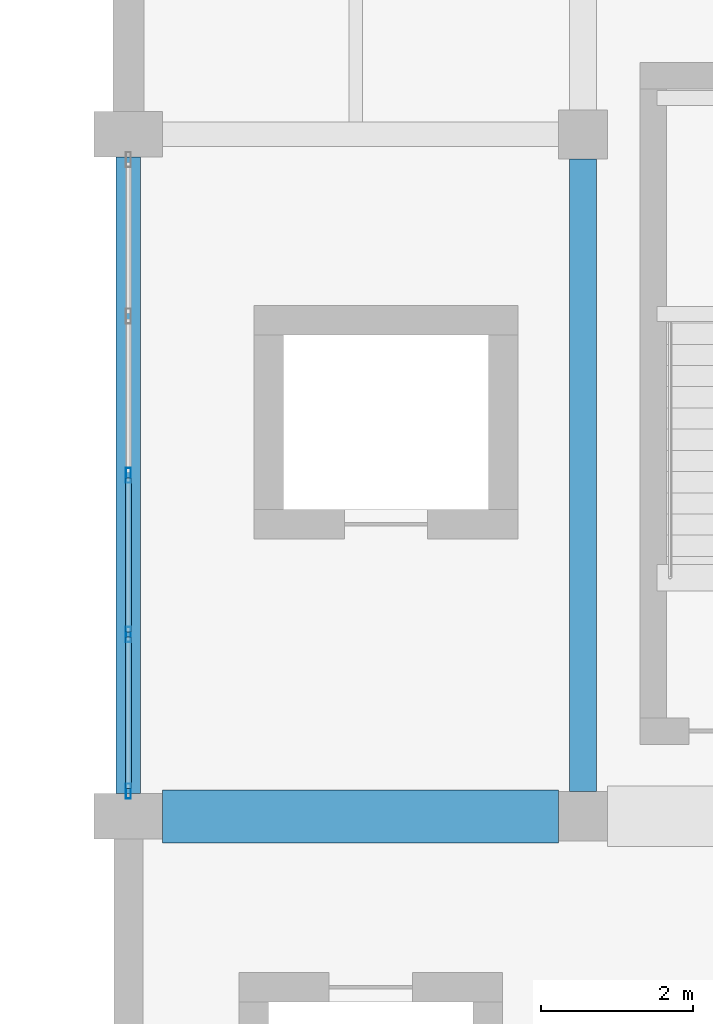
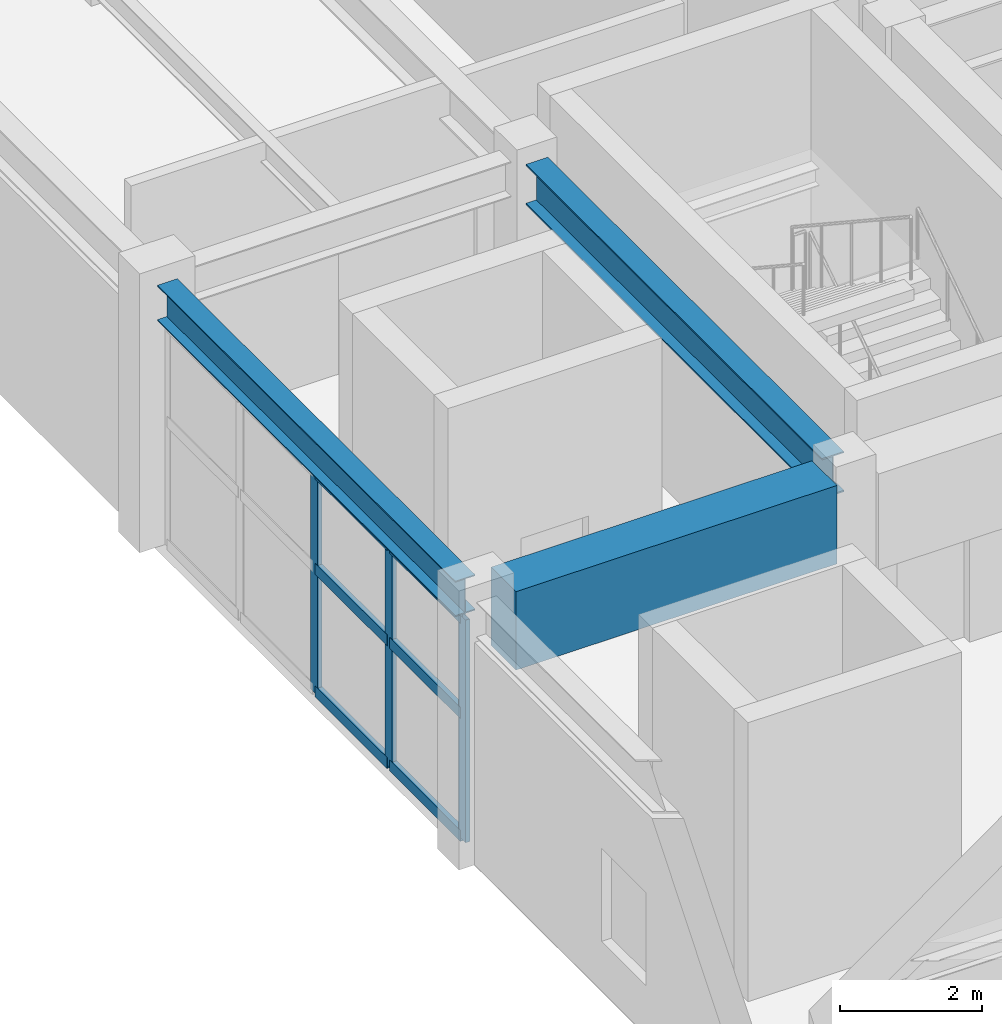
# One storey, part 6 of 85: 9 members, 3 beams, 1 element without a shape of its own.
"""IFC4 building model written with IfcOpenShell, lengths in metres."""

from ifc_helpers import new_model, si_unit, direction, frame, origin, origin_2d, place, context, subcontext, project, spatial, rectangle, hollow_rectangle, i_section, extrude, material, layer, layer_set, material_profile, profile_set, type_object, element, aggregate, save


model = new_model("IFC4")

# Units and contexts
model_context = context("Model", 3, precision=1e-05, world=origin(), true_north=direction((0.0, 1.0)))
body_context = subcontext(model_context, "Body", "Model", "MODEL_VIEW")
ifc_project = project(units=[si_unit("LENGTHUNIT", "METRE"), si_unit("AREAUNIT", "SQUARE_METRE"), si_unit("VOLUMEUNIT", "CUBIC_METRE"), si_unit("PLANEANGLEUNIT", "RADIAN"), si_unit("MASSUNIT", "GRAM", prefix="KILO")], contexts=[model_context])

# Site, building, storey
site_placement = place(None, origin())
site = spatial("IfcSite", under=ifc_project, at=site_placement, CompositionType="ELEMENT")
building_placement = place(site_placement, origin())
building = spatial("IfcBuilding", under=site, at=building_placement, Name="Vaelkrest Opera House", CompositionType="ELEMENT")
storey_placement = place(building_placement, frame((0.0, 0.0, 10.199951171875)))
storey = spatial("IfcBuildingStorey", under=building, at=storey_placement, Name="L02", CompositionType="ELEMENT", Elevation=10.199951171875)

# Beams
ifc_material_1 = material(Name="Concrete C50/60", Category="concrete")
ifc_material_profile_1 = material_profile(ifc_material_1, rectangle(XDim=0.699951171875, YDim=1.35009765625, at=origin_2d()), Name="RCB700X1350")
ifc_profile_set_1 = profile_set([ifc_material_profile_1], Name="Concrete C50/60")
beam_type_1 = type_object("IfcBeamType", Name="B06", PredefinedType="BEAM", material=ifc_profile_set_1)
beam_1_placement = place(storey_placement, frame((-29.550048828125, -28.800048828125, 3.830078125), z_axis=(1.0, 0.0, 0.0), x_axis=(0.0, 1.0, 0.0)))
element("IfcBeam", 1, at=beam_1_placement, inside=storey, type_object=beam_type_1, Name="Beam BM-V1-L02-0327", PredefinedType="BEAM", context=body_context, shape_type="SweptSolid", body=[
    extrude(rectangle(XDim=0.699951171875, YDim=1.35009765625, at=origin_2d()), origin(), (0.0, 0.0, 1.0), 5.22509765625),
])
ifc_material_2 = material(Name="Steel A992 Gr50", Category="steel")
ifc_material_profile_2 = material_profile(ifc_material_2, i_section(OverallWidth=0.35498046875, OverallDepth=0.695068359375, WebThickness=0.015380859375, FlangeThickness=0.02490234375, at=origin_2d()), Name="W27X146")
ifc_profile_set_2 = profile_set([ifc_material_profile_2], Name="Steel A992 Gr50")
beam_type_2 = type_object("IfcBeamType", Name="B10", PredefinedType="BEAM", material=ifc_profile_set_2)
beam_2_placement = place(storey_placement, frame((-24.0, -28.47509765625, 4.157470703125), z_axis=(0.0, 1.0, 0.0), x_axis=(-1.0, 0.0, 0.0)))
element("IfcBeam", 2, at=beam_2_placement, inside=storey, type_object=beam_type_2, Name="Beam BM-V1-L02-0373", PredefinedType="BEAM", context=body_context, shape_type="SweptSolid", body=[
    extrude(i_section(OverallWidth=0.35498046875, OverallDepth=0.695068359375, WebThickness=0.015380859375, FlangeThickness=0.02490234375, at=origin_2d()), origin(), (0.0, 0.0, 1.0), 8.35009765625),
])

# Curtain wall, members
ifc_material_3 = material(Name="Dark bronze anodized aluminium", Category="aluminium")
ifc_layer = layer(ifc_material_3, 0.22998046875)
ifc_layer_set = layer_set([ifc_layer], Name="Dark bronze anodized aluminium")
curtain_wall_type = type_object("IfcCurtainWallType", Name="CW06", PredefinedType="NOTDEFINED", material=ifc_layer_set)
curtain_wall_placement = place(storey_placement, origin())
curtain_wall = element("IfcCurtainWall", 3, at=curtain_wall_placement, inside=storey, type_object=curtain_wall_type, Name="Curtain wall CW-L02-037", PredefinedType="NOTDEFINED")
ifc_material_profile_3 = material_profile(ifc_material_3, hollow_rectangle(XDim=0.070068359375, YDim=0.199951171875, WallThickness=0.004150390625, at=origin_2d()), Name="CWM70X200")
ifc_profile_set_3 = profile_set([ifc_material_profile_3], Name="Dark bronze anodized aluminium")
member_type_1 = type_object("IfcMemberType", Name="CWM02", PredefinedType="MULLION", material=ifc_profile_set_3)
member_1_placement = place(storey_placement, frame((-30.0, -28.467041015625, 0.0), z_axis=(0.0, 0.0, 1.0), x_axis=(-1.0, 0.0, 0.0)))
member_1 = element("IfcMember", 4, at=member_1_placement, type_object=member_type_1, Name="CW06 mullion 1", PredefinedType="MULLION", context=body_context, shape_type="SweptSolid", body=[
    extrude(hollow_rectangle(XDim=0.070068359375, YDim=0.199951171875, WallThickness=0.004150390625, at=origin_2d()), origin(), (0.0, 0.0, 1.0), 3.8291015625),
])
member_2_placement = place(storey_placement, frame((-30.0, -26.40087890625, 0.0), z_axis=(0.0, 0.0, 1.0), x_axis=(-1.0, 0.0, 0.0)))
member_2 = element("IfcMember", 5, at=member_2_placement, type_object=member_type_1, Name="CW06 mullion 2", PredefinedType="MULLION", context=body_context, shape_type="SweptSolid", body=[
    extrude(hollow_rectangle(XDim=0.070068359375, YDim=0.199951171875, WallThickness=0.004150390625, at=origin_2d()), origin(), (0.0, 0.0, 1.0), 3.8291015625),
])
member_3_placement = place(storey_placement, frame((-30.0, -24.300048828125, 0.0), z_axis=(0.0, 0.0, 1.0), x_axis=(-1.0, 0.0, 0.0)))
member_3 = element("IfcMember", 6, at=member_3_placement, type_object=member_type_1, Name="CW06 mullion 3", PredefinedType="MULLION", context=body_context, shape_type="SweptSolid", body=[
    extrude(hollow_rectangle(XDim=0.070068359375, YDim=0.199951171875, WallThickness=0.004150390625, at=origin_2d()), origin(), (0.0, 0.0, 1.0), 3.8291015625),
])
ifc_material_profile_4 = material_profile(ifc_material_3, hollow_rectangle(XDim=0.080078125, YDim=0.18994140625, WallThickness=0.0048828125, at=origin_2d()), Name="CWT80X190")
ifc_profile_set_4 = profile_set([ifc_material_profile_4], Name="Dark bronze anodized aluminium")
member_type_2 = type_object("IfcMemberType", Name="CWT04", PredefinedType="USERDEFINED", material=ifc_profile_set_4)
member_4_placement = place(storey_placement, frame((-30.0, -28.431884765625, 0.0400390625), z_axis=(0.0, 1.0, 0.0), x_axis=(-1.0, 0.0, 0.0)))
member_4 = element("IfcMember", 7, at=member_4_placement, type_object=member_type_2, Name="CW06 transom 1.1", ObjectType="TRANSOM", PredefinedType="USERDEFINED", context=body_context, shape_type="SweptSolid", body=[
    extrude(hollow_rectangle(XDim=0.080078125, YDim=0.18994140625, WallThickness=0.0048828125, at=origin_2d()), origin(), (0.0, 0.0, 1.0), 1.995849609375),
])
member_5_placement = place(storey_placement, frame((-30.0, -28.431884765625, 2.150146484375), z_axis=(0.0, 1.0, 0.0), x_axis=(-1.0, 0.0, 0.0)))
member_5 = element("IfcMember", 8, at=member_5_placement, type_object=member_type_2, Name="CW06 transom 1.2", ObjectType="TRANSOM", PredefinedType="USERDEFINED", context=body_context, shape_type="SweptSolid", body=[
    extrude(hollow_rectangle(XDim=0.080078125, YDim=0.18994140625, WallThickness=0.0048828125, at=origin_2d()), origin(), (0.0, 0.0, 1.0), 1.995849609375),
])
member_6_placement = place(storey_placement, frame((-30.0, -28.431884765625, 3.7890625), z_axis=(0.0, 1.0, 0.0), x_axis=(-1.0, 0.0, 0.0)))
member_6 = element("IfcMember", 9, at=member_6_placement, type_object=member_type_2, Name="CW06 transom 1.3", ObjectType="TRANSOM", PredefinedType="USERDEFINED", context=body_context, shape_type="SweptSolid", body=[
    extrude(hollow_rectangle(XDim=0.080078125, YDim=0.18994140625, WallThickness=0.0048828125, at=origin_2d()), origin(), (0.0, 0.0, 1.0), 1.995849609375),
])
member_7_placement = place(storey_placement, frame((-30.0, -26.365966796875, 0.0400390625), z_axis=(0.0, 1.0, 0.0), x_axis=(-1.0, 0.0, 0.0)))
member_7 = element("IfcMember", 10, at=member_7_placement, type_object=member_type_2, Name="CW06 transom 2.1", ObjectType="TRANSOM", PredefinedType="USERDEFINED", context=body_context, shape_type="SweptSolid", body=[
    extrude(hollow_rectangle(XDim=0.080078125, YDim=0.18994140625, WallThickness=0.0048828125, at=origin_2d()), origin(), (0.0, 0.0, 1.0), 2.031005859375),
])
member_8_placement = place(storey_placement, frame((-30.0, -26.365966796875, 2.150146484375), z_axis=(0.0, 1.0, 0.0), x_axis=(-1.0, 0.0, 0.0)))
member_8 = element("IfcMember", 11, at=member_8_placement, type_object=member_type_2, Name="CW06 transom 2.2", ObjectType="TRANSOM", PredefinedType="USERDEFINED", context=body_context, shape_type="SweptSolid", body=[
    extrude(hollow_rectangle(XDim=0.080078125, YDim=0.18994140625, WallThickness=0.0048828125, at=origin_2d()), origin(), (0.0, 0.0, 1.0), 2.031005859375),
])
member_9_placement = place(storey_placement, frame((-30.0, -26.365966796875, 3.7890625), z_axis=(0.0, 1.0, 0.0), x_axis=(-1.0, 0.0, 0.0)))
member_9 = element("IfcMember", 12, at=member_9_placement, type_object=member_type_2, Name="CW06 transom 2.3", ObjectType="TRANSOM", PredefinedType="USERDEFINED", context=body_context, shape_type="SweptSolid", body=[
    extrude(hollow_rectangle(XDim=0.080078125, YDim=0.18994140625, WallThickness=0.0048828125, at=origin_2d()), origin(), (0.0, 0.0, 1.0), 2.031005859375),
])
aggregate(curtain_wall, [member_1, member_2, member_3, member_4, member_5, member_6, member_7, member_8, member_9])

# Beam
ifc_material_profile_5 = material_profile(ifc_material_2, i_section(OverallWidth=0.323974609375, OverallDepth=0.611083984375, WebThickness=0.0126953125, FlangeThickness=0.01904296875, at=origin_2d()), Name="W24X104")
ifc_profile_set_5 = profile_set([ifc_material_profile_5], Name="Steel A992 Gr50")
beam_type_3 = type_object("IfcBeamType", Name="SP01", PredefinedType="SPANDREL", material=ifc_profile_set_5)
beam_3_placement = place(storey_placement, frame((-30.0, -28.5, 4.199462890625), z_axis=(0.0, 1.0, 0.0), x_axis=(-1.0, 0.0, 0.0)))
element("IfcBeam", 13, at=beam_3_placement, inside=storey, type_object=beam_type_3, Name="Beam BM-V1-L02-0368", PredefinedType="SPANDREL", context=body_context, shape_type="SweptSolid", body=[
    extrude(i_section(OverallWidth=0.323974609375, OverallDepth=0.611083984375, WebThickness=0.0126953125, FlangeThickness=0.01904296875, at=origin_2d()), origin(), (0.0, 0.0, 1.0), 8.39990234375),
])

save(model, "model.ifc")
